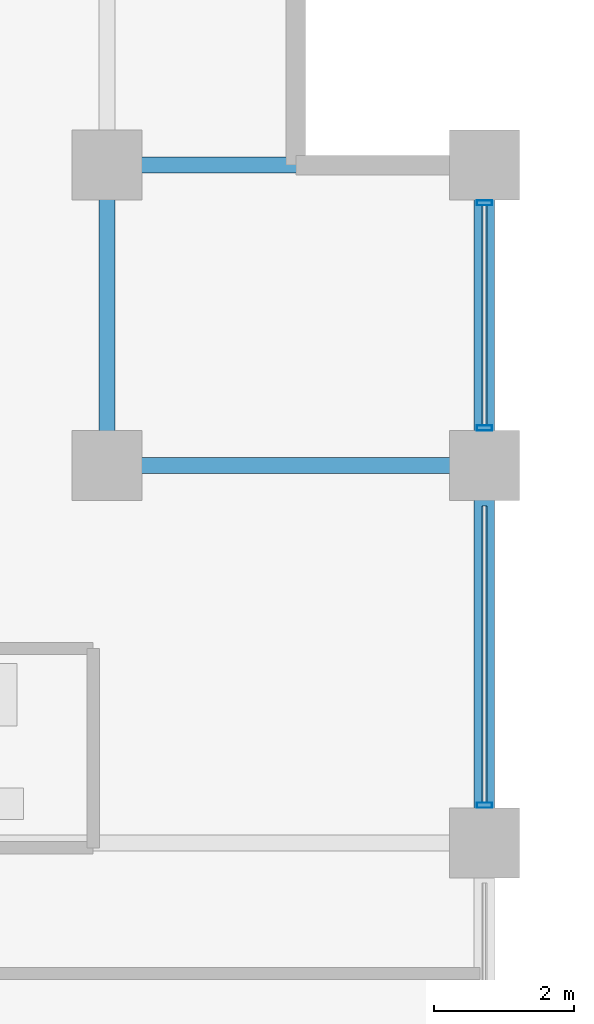
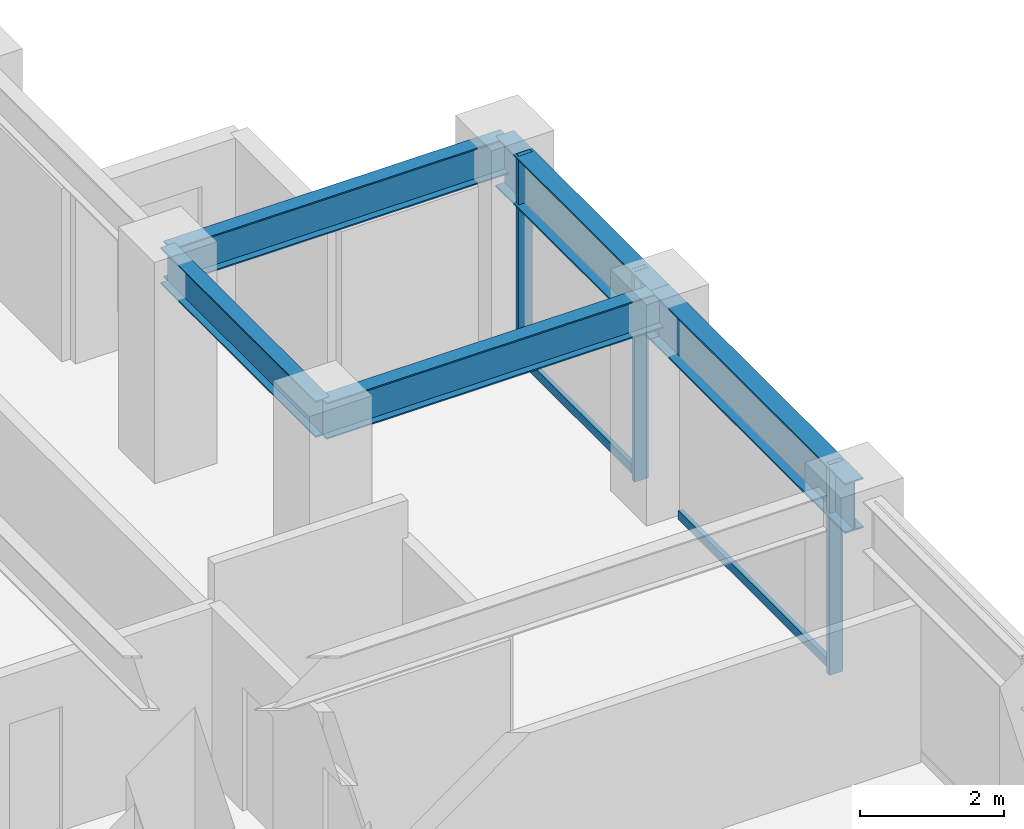
# One storey, part 16 of 26: 5 beams, 5 members, 1 element without a shape of its own.
"""IFC4 building model written with IfcOpenShell, lengths in metres."""

from ifc_helpers import new_model, si_unit, direction, frame, origin, origin_2d, place, context, subcontext, project, spatial, hollow_rectangle, i_section, extrude, material, layer, layer_set, material_profile, profile_set, type_object, element, aggregate, save


model = new_model("IFC4")

# Units and contexts
model_context = context("Model", 3, precision=1e-05, world=origin(), true_north=direction((0.0, 1.0)))
body_context = subcontext(model_context, "Body", "Model", "MODEL_VIEW")
ifc_project = project(units=[si_unit("LENGTHUNIT", "METRE"), si_unit("AREAUNIT", "SQUARE_METRE"), si_unit("VOLUMEUNIT", "CUBIC_METRE"), si_unit("PLANEANGLEUNIT", "RADIAN"), si_unit("MASSUNIT", "GRAM", prefix="KILO")], contexts=[model_context])

# Site, building, storey
site_placement = place(None, origin())
site = spatial("IfcSite", under=ifc_project, at=site_placement, CompositionType="ELEMENT")
building_placement = place(site_placement, origin())
building = spatial("IfcBuilding", under=site, at=building_placement, Name="Surkhivell Harbour Commons", CompositionType="ELEMENT")
storey_placement = place(building_placement, frame((0.0, 0.0, 147.0)))
storey = spatial("IfcBuildingStorey", under=building, at=storey_placement, Name="L38", CompositionType="ELEMENT", Elevation=147.0)

# Beams
ifc_material_1 = material(Name="Steel S355", Category="steel")
ifc_material_profile_1 = material_profile(ifc_material_1, i_section(OverallWidth=0.22998046875, OverallDepth=0.616943359375, WebThickness=0.01318359375, FlangeThickness=0.022216796875, at=origin_2d()), Name="UB610x229x140")
ifc_profile_set_1 = profile_set([ifc_material_profile_1], Name="Steel S355")
beam_type_1 = type_object("IfcBeamType", Name="BM-GRD-610B", PredefinedType="BEAM", material=ifc_profile_set_1)
beam_1_placement = place(storey_placement, frame((16.199951171875, 16.199951171875, 3.261474609375), z_axis=(0.0, 1.0, 0.0), x_axis=(-1.0, 0.0, 0.0)))
element("IfcBeam", 1, at=beam_1_placement, inside=storey, type_object=beam_type_1, Name="L38 Floor Girder (16.2,16.2)", PredefinedType="BEAM", context=body_context, shape_type="SweptSolid", body=[
    extrude(i_section(OverallWidth=0.22998046875, OverallDepth=0.616943359375, WebThickness=0.01318359375, FlangeThickness=0.022216796875, at=origin_2d()), origin(), (0.0, 0.0, 1.0), 4.300048828125),
])
for number, where, z_axis, x_axis, name in (
    (2, (16.199951171875, 16.199951171875, 3.261474609375), (1.0, 0.0, 0.0), (0.0, 1.0, 0.0), "L38 Floor Girder (16.2,16.2)"),
    (3, (16.199951171875, 20.5, 3.261474609375), (1.0, 0.0, 0.0), (0.0, 1.0, 0.0), "L38 Floor Girder (16.2,20.5)"),
):
    element("IfcBeam", number, at=place(storey_placement, frame(where, z_axis=z_axis, x_axis=x_axis)), inside=storey, type_object=beam_type_1, Name=name, PredefinedType="BEAM", context=body_context, shape_type="SweptSolid", body=[
        extrude(i_section(OverallWidth=0.22998046875, OverallDepth=0.616943359375, WebThickness=0.01318359375, FlangeThickness=0.022216796875, at=origin_2d()), origin(), (0.0, 0.0, 1.0), 5.400146484375),
    ])
ifc_material_2 = material(Name="Steel S460", Category="steel")
ifc_material_profile_2 = material_profile(ifc_material_2, i_section(OverallWidth=0.2939453125, OverallDepth=0.85107421875, WebThickness=0.01611328125, FlangeThickness=0.02685546875, at=origin_2d()), Name="UB838x292x226")
ifc_profile_set_2 = profile_set([ifc_material_profile_2], Name="Steel S460")
beam_type_2 = type_object("IfcBeamType", Name="BM-SPN-838", PredefinedType="SPANDREL", material=ifc_profile_set_2)
beam_2_placement = place(storey_placement, frame((21.60009765625, 10.800048828125, 3.14453125), z_axis=(0.0, 1.0, 0.0), x_axis=(-1.0, 0.0, 0.0)))
element("IfcBeam", 4, at=beam_2_placement, inside=storey, type_object=beam_type_2, Name="L38 Tube Spandrel (21.6,10.8)", PredefinedType="SPANDREL", context=body_context, shape_type="SweptSolid", body=[
    extrude(i_section(OverallWidth=0.2939453125, OverallDepth=0.85107421875, WebThickness=0.01611328125, FlangeThickness=0.02685546875, at=origin_2d()), origin(), (0.0, 0.0, 1.0), 5.39990234375),
])
beam_3_placement = place(storey_placement, frame((21.60009765625, 16.199951171875, 3.14453125), z_axis=(0.0, 1.0, 0.0), x_axis=(-1.0, 0.0, 0.0)))
element("IfcBeam", 5, at=beam_3_placement, inside=storey, type_object=beam_type_2, Name="L38 Tube Spandrel (21.6,16.2)", PredefinedType="SPANDREL", context=body_context, shape_type="SweptSolid", body=[
    extrude(i_section(OverallWidth=0.2939453125, OverallDepth=0.85107421875, WebThickness=0.01611328125, FlangeThickness=0.02685546875, at=origin_2d()), origin(), (0.0, 0.0, 1.0), 4.300048828125),
])

# Curtain wall, members
ifc_material_3 = material(Name="Anodised pale-metal aluminium and insulated glazing", Category="aluminium")
ifc_layer = layer(ifc_material_3, 0.205078125)
ifc_layer_set = layer_set([ifc_layer], Name="Anodised pale-metal aluminium and insulated glazing")
curtain_wall_type = type_object("IfcCurtainWallType", Name="CW-SYS-Z2", PredefinedType="NOTDEFINED", material=ifc_layer_set)
curtain_wall_placement = place(storey_placement, origin())
curtain_wall = element("IfcCurtainWall", 6, at=curtain_wall_placement, inside=storey, type_object=curtain_wall_type, Name="L38 Curtain Wall CW-L38-E02R2", PredefinedType="NOTDEFINED")
ifc_material_4 = material(Name="Anodised pale-metal aluminium alloy 6063-T6", Category="aluminium")
ifc_material_profile_3 = material_profile(ifc_material_4, hollow_rectangle(XDim=0.074951171875, YDim=0.219970703125, WallThickness=0.00390625, at=origin_2d()), Name="ALU-MULL-75x220")
ifc_profile_set_3 = profile_set([ifc_material_profile_3], Name="Anodised pale-metal aluminium alloy 6063-T6")
member_type_1 = type_object("IfcMemberType", Name="CWM-220", PredefinedType="MULLION", material=ifc_profile_set_3)
member_1_placement = place(storey_placement, frame((21.60009765625, 11.339599609375, 0.0), z_axis=(0.0, 0.0, 1.0), x_axis=(0.0, 1.0, 0.0)))
member_1 = element("IfcMember", 7, at=member_1_placement, type_object=member_type_1, Name="CW-Z2 mullion 2", PredefinedType="MULLION", context=body_context, shape_type="SweptSolid", body=[
    extrude(hollow_rectangle(XDim=0.074951171875, YDim=0.219970703125, WallThickness=0.00390625, at=origin_2d()), origin(), (0.0, 0.0, 1.0), 3.570068359375),
])
member_2_placement = place(storey_placement, frame((21.60009765625, 16.739501953125, 0.0), z_axis=(0.0, 0.0, 1.0), x_axis=(0.0, 1.0, 0.0)))
member_2 = element("IfcMember", 8, at=member_2_placement, type_object=member_type_1, Name="CW-Z2 mullion 3", PredefinedType="MULLION", context=body_context, shape_type="SweptSolid", body=[
    extrude(hollow_rectangle(XDim=0.074951171875, YDim=0.219970703125, WallThickness=0.00390625, at=origin_2d()), origin(), (0.0, 0.0, 1.0), 3.570068359375),
])
member_3_placement = place(storey_placement, frame((21.60009765625, 19.96044921875, 0.0), z_axis=(0.0, 0.0, 1.0), x_axis=(0.0, 1.0, 0.0)))
member_3 = element("IfcMember", 9, at=member_3_placement, type_object=member_type_1, Name="CW-Z2 mullion 4", PredefinedType="MULLION", context=body_context, shape_type="SweptSolid", body=[
    extrude(hollow_rectangle(XDim=0.074951171875, YDim=0.219970703125, WallThickness=0.00390625, at=origin_2d()), origin(), (0.0, 0.0, 1.0), 3.570068359375),
])
ifc_material_profile_4 = material_profile(ifc_material_4, hollow_rectangle(XDim=0.074951171875, YDim=0.14990234375, WallThickness=0.00341796875, at=origin_2d()), Name="ALU-TRAN-75x150")
ifc_profile_set_4 = profile_set([ifc_material_profile_4], Name="Anodised pale-metal aluminium alloy 6063-T6")
member_type_2 = type_object("IfcMemberType", Name="CWT-150", PredefinedType="USERDEFINED", material=ifc_profile_set_4)
member_4_placement = place(storey_placement, frame((21.60009765625, 11.376953125, 0.074951171875), z_axis=(0.0, 1.0, 0.0), x_axis=(-1.0, 0.0, 0.0)))
member_4 = element("IfcMember", 10, at=member_4_placement, type_object=member_type_2, Name="CW-Z2 transom 2.1", ObjectType="TRANSOM", PredefinedType="USERDEFINED", context=body_context, shape_type="SweptSolid", body=[
    extrude(hollow_rectangle(XDim=0.074951171875, YDim=0.14990234375, WallThickness=0.00341796875, at=origin_2d()), origin(), (0.0, 0.0, 1.0), 4.24609375),
])
member_5_placement = place(storey_placement, frame((21.60009765625, 16.777099609375, 0.074951171875), z_axis=(0.0, 1.0, 0.0), x_axis=(-1.0, 0.0, 0.0)))
member_5 = element("IfcMember", 11, at=member_5_placement, type_object=member_type_2, Name="CW-Z2 transom 3.1", ObjectType="TRANSOM", PredefinedType="USERDEFINED", context=body_context, shape_type="SweptSolid", body=[
    extrude(hollow_rectangle(XDim=0.074951171875, YDim=0.14990234375, WallThickness=0.00341796875, at=origin_2d()), origin(), (0.0, 0.0, 1.0), 3.14599609375),
])
aggregate(curtain_wall, [member_1, member_4, member_2, member_3, member_5])

save(model, "model.ifc")
